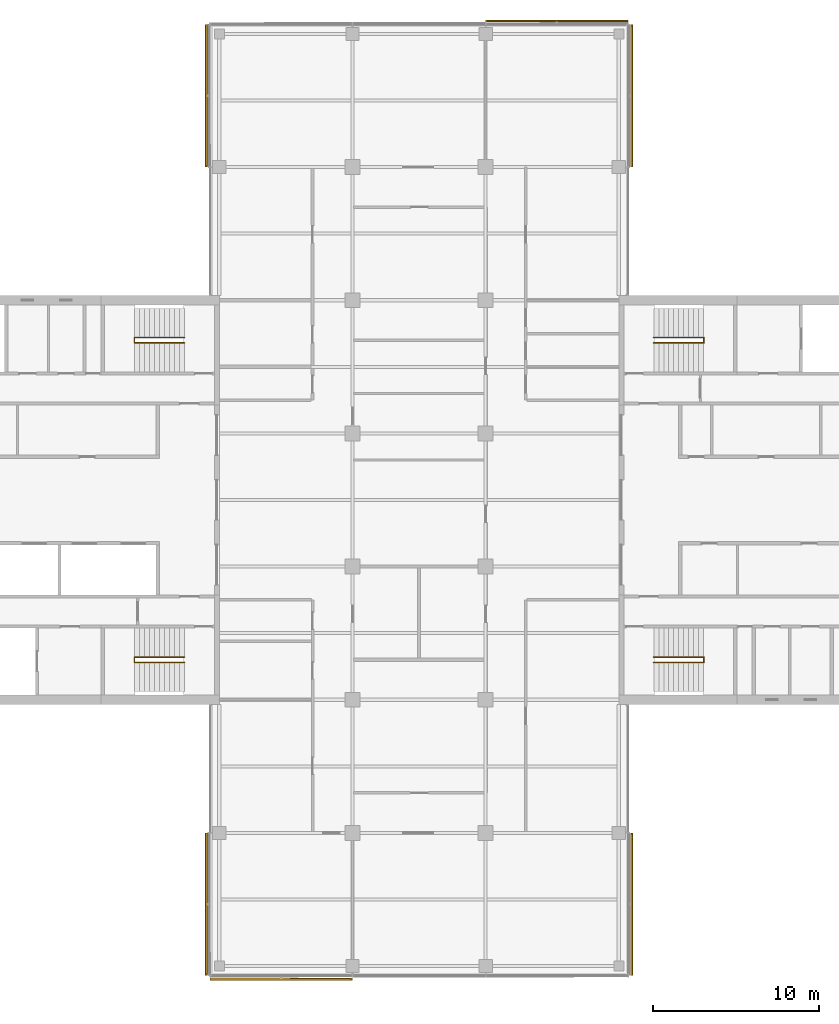
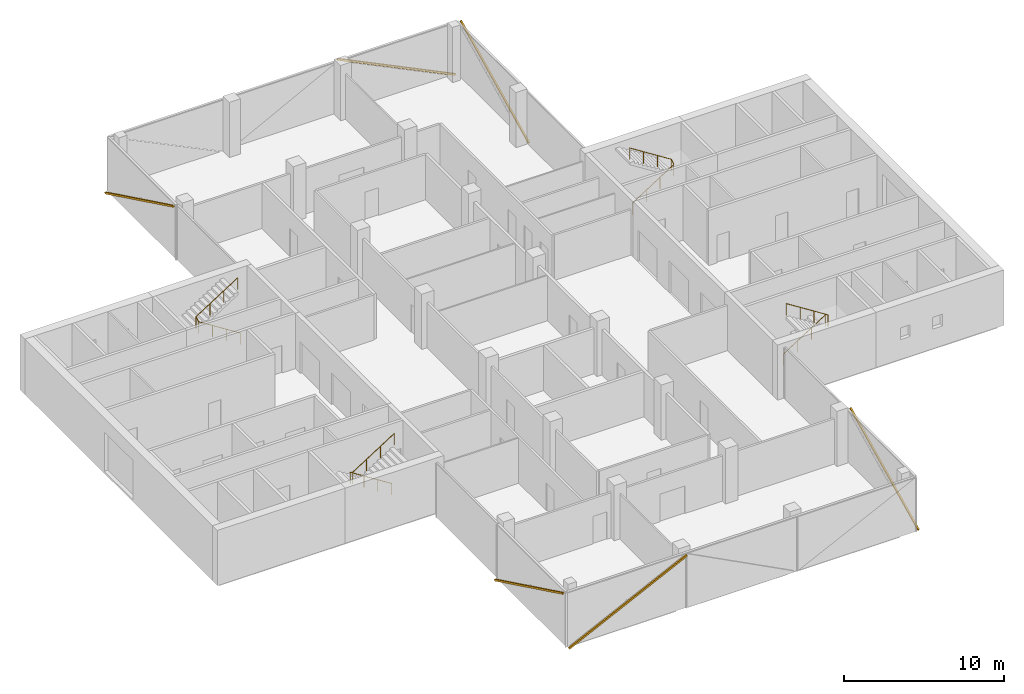
# One storey, part 15 of 15: 6 shading devices, 4 railings, 6 elements without a shape of their own.
"""IFC4 building model written with IfcOpenShell, lengths in metres."""

import ifcopenshell
import ifcopenshell.guid

model = None  # the IFC model being written
_history = None  # IfcOwnerHistory: only IFC2X3 demands one
_inside = {}  # id of a spatial element -> (the spatial element, [elements in it])
_under = {}  # id of a project, library or spatial element -> (it, [spatial elements below it])
_declared = {}  # id of a project -> (the project, [libraries it declares])
_typed = {}  # id of a type object -> (the type object, [elements of that type])
_made_of = {}  # id of a material, layer set ... -> (it, [elements and type objects made of it])


def new_model(schema):
    """Start an empty IFC model of exactly this schema.

    Asked for "IFC4X3", IfcOpenShell would pick the latest addendum, in which some entities
    have other attributes; the version numbers below select the first issue.
    IFC2X3 requires an IfcOwnerHistory on every rooted entity: one is made here for all.
    """
    global model, _history
    if schema == "IFC4X3":
        model = ifcopenshell.file(schema_version=(4, 3, 0, 0))
    else:
        model = ifcopenshell.file(schema=schema)
    _inside.clear()
    _under.clear()
    _declared.clear()
    _typed.clear()
    _made_of.clear()
    _history = None
    if model.schema == "IFC2X3":
        org = make("IfcOrganization", Name="unknown")
        user = make(
            "IfcPersonAndOrganization",
            ThePerson=make("IfcPerson", FamilyName="unknown"),
            TheOrganization=org,
        )
        app = make(
            "IfcApplication",
            ApplicationDeveloper=org,
            Version="unknown",
            ApplicationFullName="unknown",
            ApplicationIdentifier="unknown",
        )
        _history = make(
            "IfcOwnerHistory",
            OwningUser=user,
            OwningApplication=app,
            ChangeAction="ADDED",
            CreationDate=0,
        )
    return model


def make(cls, **values):
    """One entity of the class cls with the attributes given. An attribute that is None is left unset."""
    return model.create_entity(
        cls, **{name: value for name, value in values.items() if value is not None}
    )


def rooted(cls, **values):
    """An entity with a GlobalId (a new one), such as an element, a storey or a relation."""
    return make(cls, GlobalId=ifcopenshell.guid.new(), OwnerHistory=_history, **values)


def si_unit(unit_type, name, prefix=None):
    """IfcSIUnit, for example si_unit("LENGTHUNIT", "METRE", prefix="MILLI")."""
    return make("IfcSIUnit", UnitType=unit_type, Prefix=prefix, Name=name)


def assignment(units):
    """IfcUnitAssignment: the units of a project."""
    return None if units is None else make("IfcUnitAssignment", Units=units)


def point(xyz):
    """IfcCartesianPoint."""
    return None if xyz is None else make("IfcCartesianPoint", Coordinates=xyz)


def direction(xyz):
    """IfcDirection."""
    return None if xyz is None else make("IfcDirection", DirectionRatios=xyz)


def frame(location, z_axis=None, x_axis=None):
    """IfcAxis2Placement3D, a coordinate frame: its origin and axes. An axis left out is left unset."""
    return make(
        "IfcAxis2Placement3D",
        Location=point(location),
        Axis=direction(z_axis),
        RefDirection=direction(x_axis),
    )


def frame_2d(location, x_axis=None):
    """IfcAxis2Placement2D, a coordinate frame in the plane: its origin and x axis."""
    return make(
        "IfcAxis2Placement2D", Location=point(location), RefDirection=direction(x_axis)
    )


def origin():
    """The frame at (0, 0, 0) with its axes left unset."""
    return frame((0.0, 0.0, 0.0))


def origin_2d():
    """The frame at (0, 0) in the plane with its x axis left unset."""
    return frame_2d((0.0, 0.0))


def place(relative_to, where):
    """IfcLocalPlacement: puts the frame where relative to a parent placement (None: the world)."""
    return make(
        "IfcLocalPlacement", PlacementRelTo=relative_to, RelativePlacement=where
    )


def context(
    kind, dimensions, precision=None, world=None, true_north=None, identifier=None
):
    """IfcGeometricRepresentationContext, for example the 3D "Model" context."""
    return make(
        "IfcGeometricRepresentationContext",
        ContextIdentifier=identifier,
        ContextType=kind,
        CoordinateSpaceDimension=dimensions,
        Precision=precision,
        WorldCoordinateSystem=world,
        TrueNorth=true_north,
    )


def subcontext(parent, identifier, kind, view, scale=None):
    """IfcGeometricRepresentationSubContext, for example "Body" below "Model"."""
    return make(
        "IfcGeometricRepresentationSubContext",
        ContextIdentifier=identifier,
        ContextType=kind,
        ParentContext=parent,
        TargetScale=scale,
        TargetView=view,
    )


def project(units=None, contexts=None):
    """IfcProject with its units and contexts."""
    return rooted(
        "IfcProject",
        Name="project",
        RepresentationContexts=contexts,
        UnitsInContext=assignment(units),
    )


def spatial(cls, under=None, at=None, **own):
    """A site, building, storey or space (cls), placed at a placement, below another one or the project."""
    s = rooted(cls, ObjectPlacement=at, **own)
    if under is not None:
        _under.setdefault(under.id(), (under, []))[1].append(s)
    return s


def profile(cls, at=None, kind="AREA", **sizes):
    """A parametric profile (cls). Its sizes go by their IFC names, for example OverallWidth=200.0."""
    return make(cls, ProfileType=kind, Position=at, **sizes)


def rectangle(**sizes):
    """IfcRectangleProfileDef."""
    return profile("IfcRectangleProfileDef", **sizes)


def circle(**sizes):
    """IfcCircleProfileDef."""
    return profile("IfcCircleProfileDef", **sizes)


def extrude(swept, where, along, depth):
    """IfcExtrudedAreaSolid: the profile swept, set in the frame where, extruded along a direction by depth."""
    return make(
        "IfcExtrudedAreaSolid",
        SweptArea=swept,
        Position=where,
        ExtrudedDirection=direction(along),
        Depth=depth,
    )


def shape(context_of_items, identifier, shape_type, items):
    """IfcShapeRepresentation: the items that make up one representation, for example the "Body"."""
    return make(
        "IfcShapeRepresentation",
        ContextOfItems=context_of_items,
        RepresentationIdentifier=identifier,
        RepresentationType=shape_type,
        Items=items,
    )


def material(Name=None, Category=None):
    """IfcMaterial."""
    return make("IfcMaterial", Name=Name, Category=Category)


def material_profile(
    of_material, cross_section, Name=None, Category=None, Priority=None
):
    """IfcMaterialProfile: a cross section and its material."""
    return make(
        "IfcMaterialProfile",
        Name=Name,
        Material=of_material,
        Profile=cross_section,
        Priority=Priority,
        Category=Category,
    )


def profile_set(profiles, Name=None, composite=None):
    """IfcMaterialProfileSet."""
    return make(
        "IfcMaterialProfileSet",
        Name=Name,
        MaterialProfiles=profiles,
        CompositeProfile=composite,
    )


def made_of(thing, what):
    """Note that an element or type object is made of a material, layer set ...; save() writes the relation."""
    if what is not None:
        _made_of.setdefault(what.id(), (what, []))[1].append(thing)
    return thing


def type_object(cls, material=None, **own):
    """A type object (cls), such as IfcWallType, which elements share."""
    return made_of(rooted(cls, **own), material)


def element(
    cls,
    number,
    at=None,
    inside=None,
    cuts=None,
    type_object=None,
    material=None,
    context=None,
    identifier="Body",
    shape_type=None,
    held_by="IfcProductDefinitionShape",
    body=None,
    shapes=None,
    **own,
):
    """One element of the class cls, such as IfcWall. Its Tag is "e" and its number.

    at: its placement. inside: the storey or other place that contains it. cuts: it is an
    opening in that element (IfcRelVoidsElement). A single representation is given by context,
    identifier, shape_type and body (its items); several are given by shapes. held_by: the class
    of the entity that holds the representations. save() writes the other relations.
    """
    e = rooted(cls, Tag="e%d" % number, ObjectPlacement=at, **own)
    if body is not None:
        shapes = [shape(context, identifier, shape_type, body)]
    if shapes is not None:
        e.Representation = make(held_by, Representations=shapes)
    if inside is not None:
        _inside.setdefault(inside.id(), (inside, []))[1].append(e)
    if cuts is not None:
        rooted(
            "IfcRelVoidsElement", RelatingBuildingElement=cuts, RelatedOpeningElement=e
        )
    if type_object is not None:
        _typed.setdefault(type_object.id(), (type_object, []))[1].append(e)
    return made_of(e, material)


def aggregate(whole, parts):
    """IfcRelAggregates: a whole, such as a stair, and the parts it consists of."""
    return rooted("IfcRelAggregates", RelatingObject=whole, RelatedObjects=parts)


def save(model, path):
    """Write the relations noted so far, then the file.

    IfcRelAggregates (storeys below a building ...), IfcRelContainedInSpatialStructure (elements
    in a storey), IfcRelDefinesByType, IfcRelAssociatesMaterial and IfcRelDeclares: one each for
    every whole, place, type object, material and project.
    """
    for whole, parts in _under.values():
        aggregate(whole, parts)
    for where, things in _inside.values():
        rooted(
            "IfcRelContainedInSpatialStructure",
            RelatedElements=things,
            RelatingStructure=where,
        )
    for kind, things in _typed.values():
        rooted("IfcRelDefinesByType", RelatedObjects=things, RelatingType=kind)
    for what, things in _made_of.values():
        rooted("IfcRelAssociatesMaterial", RelatedObjects=things, RelatingMaterial=what)
    for by, libraries in _declared.values():
        rooted("IfcRelDeclares", RelatingContext=by, RelatedDefinitions=libraries)
    model.write(path)


model = new_model("IFC4")

# Units and contexts
model_context = context("Model", 3, precision=1e-05, world=origin(), true_north=direction((0.0, 1.0)))
body_context = subcontext(model_context, "Body", "Model", "MODEL_VIEW")
ifc_project = project(units=[si_unit("LENGTHUNIT", "METRE"), si_unit("AREAUNIT", "SQUARE_METRE"), si_unit("VOLUMEUNIT", "CUBIC_METRE"), si_unit("PLANEANGLEUNIT", "RADIAN"), si_unit("MASSUNIT", "GRAM", prefix="KILO")], contexts=[model_context])

# Site, building, storey
site_placement = place(None, origin())
site = spatial("IfcSite", under=ifc_project, at=site_placement, CompositionType="ELEMENT")
building_placement = place(site_placement, origin())
building = spatial("IfcBuilding", under=site, at=building_placement, Name="Crosswind Convention Tower", CompositionType="ELEMENT")
storey_placement = place(building_placement, frame((0.0, 0.0, 220.89990234375)))
storey = spatial("IfcBuildingStorey", under=building, at=storey_placement, Name="L47", CompositionType="ELEMENT", Elevation=220.89990234375)

# Railings
ifc_material_1 = material(Name="Stainless steel", Category="steel")
railing_type = type_object("IfcRailingType", Name="Stair handrail 900", PredefinedType="HANDRAIL", material=ifc_material_1)
railing_1_placement = place(storey_placement, frame((139.10009765625, 109.43994140625, 0.19091796875)))
element("IfcRailing", 1, at=railing_1_placement, inside=storey, type_object=railing_type, Name="Stair ST1 handrail L47", PredefinedType="HANDRAIL", context=body_context, shape_type="SweptSolid", body=[
    extrude(circle(Radius=0.02392578125, at=origin_2d()), frame((0.0, 0.0, 0.8759765625), z_axis=(0.843650179428, 0.0, 0.536893261973), x_axis=(0.0, 1.0, 0.0)), (0.0, 0.0, 1.0), 3.555908203125),
    extrude(circle(Radius=0.02392578125, at=origin_2d()), frame((3.0, 0.0, 2.78515625), z_axis=(0.0, 0.858819504967, 0.512278301208), x_axis=(-1.0, 0.0, 0.0)), (0.0, 0.0, 1.0), 0.372802734375),
    extrude(circle(Radius=0.02392578125, at=origin_2d()), frame((3.0, 0.320068359375, 2.97607421875), z_axis=(-0.843650179428, 0.0, 0.536893261973), x_axis=(0.0, -1.0, 0.0)), (0.0, 0.0, 1.0), 3.555908203125),
    extrude(circle(Radius=0.02099609375, at=origin_2d()), origin(), (0.0, 0.0, 1.0), 0.851806640625),
    extrude(circle(Radius=0.02099609375, at=origin_2d()), frame((1.0, 0.0, 0.636474609375)), (0.0, 0.0, 1.0), 0.851806640625),
    extrude(circle(Radius=0.02099609375, at=origin_2d()), frame((2.0, 0.0, 1.272705078125)), (0.0, 0.0, 1.0), 0.851806640625),
    extrude(circle(Radius=0.02099609375, at=origin_2d()), frame((3.0, 0.0, 1.9091796875)), (0.0, 0.0, 1.0), 0.851806640625),
    extrude(circle(Radius=0.02099609375, at=origin_2d()), frame((3.0, 0.320068359375, 2.10009765625)), (0.0, 0.0, 1.0), 0.851806640625),
    extrude(circle(Radius=0.02099609375, at=origin_2d()), frame((2.0, 0.320068359375, 2.736572265625)), (0.0, 0.0, 1.0), 0.851806640625),
    extrude(circle(Radius=0.02099609375, at=origin_2d()), frame((1.0, 0.320068359375, 3.372802734375)), (0.0, 0.0, 1.0), 0.851806640625),
    extrude(circle(Radius=0.02099609375, at=origin_2d()), frame((0.0, 0.320068359375, 4.00927734375)), (0.0, 0.0, 1.0), 0.851806640625),
])
railing_2_placement = place(storey_placement, frame((139.10009765625, 90.56005859375, 0.19091796875)))
element("IfcRailing", 2, at=railing_2_placement, inside=storey, type_object=railing_type, Name="Stair ST2 handrail L47", PredefinedType="HANDRAIL", context=body_context, shape_type="SweptSolid", body=[
    extrude(circle(Radius=0.02392578125, at=origin_2d()), frame((0.0, 0.0, 0.8759765625), z_axis=(0.843650179428, 0.0, 0.536893261973), x_axis=(0.0, 1.0, 0.0)), (0.0, 0.0, 1.0), 3.555908203125),
    extrude(circle(Radius=0.02392578125, at=origin_2d()), frame((3.0, 0.0, 2.78515625), z_axis=(0.0, -0.858819504967, 0.512278301208), x_axis=(1.0, 0.0, 0.0)), (0.0, 0.0, 1.0), 0.372802734375),
    extrude(circle(Radius=0.02392578125, at=origin_2d()), frame((3.0, -0.320068359375, 2.97607421875), z_axis=(-0.843650179428, 0.0, 0.536893261973), x_axis=(0.0, -1.0, 0.0)), (0.0, 0.0, 1.0), 3.555908203125),
    extrude(circle(Radius=0.02099609375, at=origin_2d()), origin(), (0.0, 0.0, 1.0), 0.851806640625),
    extrude(circle(Radius=0.02099609375, at=origin_2d()), frame((1.0, 0.0, 0.636474609375)), (0.0, 0.0, 1.0), 0.851806640625),
    extrude(circle(Radius=0.02099609375, at=origin_2d()), frame((2.0, 0.0, 1.272705078125)), (0.0, 0.0, 1.0), 0.851806640625),
    extrude(circle(Radius=0.02099609375, at=origin_2d()), frame((3.0, 0.0, 1.9091796875)), (0.0, 0.0, 1.0), 0.851806640625),
    extrude(circle(Radius=0.02099609375, at=origin_2d()), frame((3.0, -0.320068359375, 2.10009765625)), (0.0, 0.0, 1.0), 0.851806640625),
    extrude(circle(Radius=0.02099609375, at=origin_2d()), frame((2.0, -0.320068359375, 2.736572265625)), (0.0, 0.0, 1.0), 0.851806640625),
    extrude(circle(Radius=0.02099609375, at=origin_2d()), frame((1.0, -0.320068359375, 3.372802734375)), (0.0, 0.0, 1.0), 0.851806640625),
    extrude(circle(Radius=0.02099609375, at=origin_2d()), frame((0.0, -0.320068359375, 4.00927734375)), (0.0, 0.0, 1.0), 0.851806640625),
])
railing_3_placement = place(storey_placement, frame((110.89990234375, 90.56005859375, 0.19091796875)))
element("IfcRailing", 3, at=railing_3_placement, inside=storey, type_object=railing_type, Name="Stair ST3 handrail L47", PredefinedType="HANDRAIL", context=body_context, shape_type="SweptSolid", body=[
    extrude(circle(Radius=0.02392578125, at=origin_2d()), frame((0.0, 0.0, 0.8759765625), z_axis=(-0.843650179428, 0.0, 0.536893261973), x_axis=(0.0, -1.0, 0.0)), (0.0, 0.0, 1.0), 3.555908203125),
    extrude(circle(Radius=0.02392578125, at=origin_2d()), frame((-3.0, 0.0, 2.78515625), z_axis=(0.0, -0.858819504967, 0.512278301208), x_axis=(1.0, 0.0, 0.0)), (0.0, 0.0, 1.0), 0.372802734375),
    extrude(circle(Radius=0.02392578125, at=origin_2d()), frame((-3.0, -0.320068359375, 2.97607421875), z_axis=(0.843650179428, 0.0, 0.536893261973), x_axis=(0.0, 1.0, 0.0)), (0.0, 0.0, 1.0), 3.555908203125),
    extrude(circle(Radius=0.02099609375, at=origin_2d()), origin(), (0.0, 0.0, 1.0), 0.851806640625),
    extrude(circle(Radius=0.02099609375, at=origin_2d()), frame((-1.0, 0.0, 0.636474609375)), (0.0, 0.0, 1.0), 0.851806640625),
    extrude(circle(Radius=0.02099609375, at=origin_2d()), frame((-2.0, 0.0, 1.272705078125)), (0.0, 0.0, 1.0), 0.851806640625),
    extrude(circle(Radius=0.02099609375, at=origin_2d()), frame((-3.0, 0.0, 1.9091796875)), (0.0, 0.0, 1.0), 0.851806640625),
    extrude(circle(Radius=0.02099609375, at=origin_2d()), frame((-3.0, -0.320068359375, 2.10009765625)), (0.0, 0.0, 1.0), 0.851806640625),
    extrude(circle(Radius=0.02099609375, at=origin_2d()), frame((-2.0, -0.320068359375, 2.736572265625)), (0.0, 0.0, 1.0), 0.851806640625),
    extrude(circle(Radius=0.02099609375, at=origin_2d()), frame((-1.0, -0.320068359375, 3.372802734375)), (0.0, 0.0, 1.0), 0.851806640625),
    extrude(circle(Radius=0.02099609375, at=origin_2d()), frame((0.0, -0.320068359375, 4.00927734375)), (0.0, 0.0, 1.0), 0.851806640625),
])
railing_4_placement = place(storey_placement, frame((110.89990234375, 109.43994140625, 0.19091796875)))
element("IfcRailing", 4, at=railing_4_placement, inside=storey, type_object=railing_type, Name="Stair ST4 handrail L47", PredefinedType="HANDRAIL", context=body_context, shape_type="SweptSolid", body=[
    extrude(circle(Radius=0.02392578125, at=origin_2d()), frame((0.0, 0.0, 0.8759765625), z_axis=(-0.843650179428, 0.0, 0.536893261973), x_axis=(0.0, -1.0, 0.0)), (0.0, 0.0, 1.0), 3.555908203125),
    extrude(circle(Radius=0.02392578125, at=origin_2d()), frame((-3.0, 0.0, 2.78515625), z_axis=(0.0, 0.858819504967, 0.512278301208), x_axis=(-1.0, 0.0, 0.0)), (0.0, 0.0, 1.0), 0.372802734375),
    extrude(circle(Radius=0.02392578125, at=origin_2d()), frame((-3.0, 0.320068359375, 2.97607421875), z_axis=(0.843650179428, 0.0, 0.536893261973), x_axis=(0.0, 1.0, 0.0)), (0.0, 0.0, 1.0), 3.555908203125),
    extrude(circle(Radius=0.02099609375, at=origin_2d()), origin(), (0.0, 0.0, 1.0), 0.851806640625),
    extrude(circle(Radius=0.02099609375, at=origin_2d()), frame((-1.0, 0.0, 0.636474609375)), (0.0, 0.0, 1.0), 0.851806640625),
    extrude(circle(Radius=0.02099609375, at=origin_2d()), frame((-2.0, 0.0, 1.272705078125)), (0.0, 0.0, 1.0), 0.851806640625),
    extrude(circle(Radius=0.02099609375, at=origin_2d()), frame((-3.0, 0.0, 1.9091796875)), (0.0, 0.0, 1.0), 0.851806640625),
    extrude(circle(Radius=0.02099609375, at=origin_2d()), frame((-3.0, 0.320068359375, 2.10009765625)), (0.0, 0.0, 1.0), 0.851806640625),
    extrude(circle(Radius=0.02099609375, at=origin_2d()), frame((-2.0, 0.320068359375, 2.736572265625)), (0.0, 0.0, 1.0), 0.851806640625),
    extrude(circle(Radius=0.02099609375, at=origin_2d()), frame((-1.0, 0.320068359375, 3.372802734375)), (0.0, 0.0, 1.0), 0.851806640625),
    extrude(circle(Radius=0.02099609375, at=origin_2d()), frame((0.0, 0.320068359375, 4.00927734375)), (0.0, 0.0, 1.0), 0.851806640625),
])

# Curtain wall, shading device
ifc_material_2 = material(Name="Aluminium unitised curtain wall", Category="aluminium")
curtain_wall_type = type_object("IfcCurtainWallType", Name="OFFICE UNITISED WALL 220", PredefinedType="USERDEFINED", material=ifc_material_2)
curtain_wall_1_placement = place(storey_placement, origin())
curtain_wall_1 = element("IfcCurtainWall", 5, at=curtain_wall_1_placement, inside=storey, type_object=curtain_wall_type, Name="CW3 L47 N-E 1", ObjectType="UNITISED", PredefinedType="USERDEFINED")
ifc_material_3 = material(Name="Extruded terracotta", Category="masonry")
ifc_material_profile = material_profile(ifc_material_3, rectangle(XDim=0.110107421875, YDim=0.1298828125, at=origin_2d()), Name="TC 110X130")
ifc_profile_set = profile_set([ifc_material_profile], Name="Extruded terracotta")
shading_device_type = type_object("IfcShadingDeviceType", Name="TERRACOTTA BAGUETTE 130X110", PredefinedType="USERDEFINED", material=ifc_profile_set)
shading_device_1_placement = place(storey_placement, frame((137.781005859375, 120.034912109375, -0.2998046875), z_axis=(0.0, 0.899251034354, 0.437432940248), x_axis=(-1.0, 0.0, 0.0)))
shading_device_1 = element("IfcShadingDevice", 6, at=shading_device_1_placement, type_object=shading_device_type, Name="CW3 terracotta baguette 1", ObjectType="BAGUETTE", PredefinedType="USERDEFINED", context=body_context, shape_type="SweptSolid", body=[
    extrude(rectangle(XDim=0.110107421875, YDim=0.1298828125, at=origin_2d()), origin(), (0.0, 0.0, 1.0), 9.441162109375),
])
aggregate(curtain_wall_1, [shading_device_1])

curtain_wall_2_placement = place(storey_placement, origin())
curtain_wall_2 = element("IfcCurtainWall", 7, at=curtain_wall_2_placement, inside=storey, type_object=curtain_wall_type, Name="CW3 L47 N-TIP 1", ObjectType="UNITISED", PredefinedType="USERDEFINED")
shading_device_2_placement = place(storey_placement, frame((137.52490234375, 128.781005859375, -0.2998046875), z_axis=(-0.899251034354, 0.0, 0.437432940248), x_axis=(0.0, -1.0, 0.0)))
shading_device_2 = element("IfcShadingDevice", 8, at=shading_device_2_placement, type_object=shading_device_type, Name="CW3 terracotta baguette 1", ObjectType="BAGUETTE", PredefinedType="USERDEFINED", context=body_context, shape_type="SweptSolid", body=[
    extrude(rectangle(XDim=0.110107421875, YDim=0.1298828125, at=origin_2d()), origin(), (0.0, 0.0, 1.0), 9.441162109375),
])
aggregate(curtain_wall_2, [shading_device_2])

curtain_wall_3_placement = place(storey_placement, origin())
curtain_wall_3 = element("IfcCurtainWall", 9, at=curtain_wall_3_placement, inside=storey, type_object=curtain_wall_type, Name="CW3 L47 N-W 1", ObjectType="UNITISED", PredefinedType="USERDEFINED")
shading_device_3_placement = place(storey_placement, frame((112.218994140625, 128.52490234375, -0.2998046875), z_axis=(0.0, -0.899251034354, 0.437432940248), x_axis=(1.0, 0.0, 0.0)))
shading_device_3 = element("IfcShadingDevice", 10, at=shading_device_3_placement, type_object=shading_device_type, Name="CW3 terracotta baguette 1", ObjectType="BAGUETTE", PredefinedType="USERDEFINED", context=body_context, shape_type="SweptSolid", body=[
    extrude(rectangle(XDim=0.110107421875, YDim=0.1298828125, at=origin_2d()), origin(), (0.0, 0.0, 1.0), 9.441162109375),
])
aggregate(curtain_wall_3, [shading_device_3])

curtain_wall_4_placement = place(storey_placement, origin())
curtain_wall_4 = element("IfcCurtainWall", 11, at=curtain_wall_4_placement, inside=storey, type_object=curtain_wall_type, Name="CW3 L47 S-W 1", ObjectType="UNITISED", PredefinedType="USERDEFINED")
shading_device_4_placement = place(storey_placement, frame((112.218994140625, 79.965087890625, -0.2998046875), z_axis=(0.0, -0.899251034354, 0.437432940248), x_axis=(1.0, 0.0, 0.0)))
shading_device_4 = element("IfcShadingDevice", 12, at=shading_device_4_placement, type_object=shading_device_type, Name="CW3 terracotta baguette 1", ObjectType="BAGUETTE", PredefinedType="USERDEFINED", context=body_context, shape_type="SweptSolid", body=[
    extrude(rectangle(XDim=0.110107421875, YDim=0.1298828125, at=origin_2d()), origin(), (0.0, 0.0, 1.0), 9.441162109375),
])
aggregate(curtain_wall_4, [shading_device_4])

curtain_wall_5_placement = place(storey_placement, origin())
curtain_wall_5 = element("IfcCurtainWall", 13, at=curtain_wall_5_placement, inside=storey, type_object=curtain_wall_type, Name="CW3 L47 S-TIP 1", ObjectType="UNITISED", PredefinedType="USERDEFINED")
shading_device_5_placement = place(storey_placement, frame((112.47509765625, 71.218994140625, -0.2998046875), z_axis=(0.899251034354, 0.0, 0.437432940248), x_axis=(0.0, 1.0, 0.0)))
shading_device_5 = element("IfcShadingDevice", 14, at=shading_device_5_placement, type_object=shading_device_type, Name="CW3 terracotta baguette 1", ObjectType="BAGUETTE", PredefinedType="USERDEFINED", context=body_context, shape_type="SweptSolid", body=[
    extrude(rectangle(XDim=0.110107421875, YDim=0.1298828125, at=origin_2d()), origin(), (0.0, 0.0, 1.0), 9.441162109375),
])
aggregate(curtain_wall_5, [shading_device_5])

curtain_wall_6_placement = place(storey_placement, origin())
curtain_wall_6 = element("IfcCurtainWall", 15, at=curtain_wall_6_placement, inside=storey, type_object=curtain_wall_type, Name="CW3 L47 S-E 1", ObjectType="UNITISED", PredefinedType="USERDEFINED")
shading_device_6_placement = place(storey_placement, frame((137.781005859375, 71.47509765625, -0.2998046875), z_axis=(0.0, 0.899251034354, 0.437432940248), x_axis=(-1.0, 0.0, 0.0)))
shading_device_6 = element("IfcShadingDevice", 16, at=shading_device_6_placement, type_object=shading_device_type, Name="CW3 terracotta baguette 1", ObjectType="BAGUETTE", PredefinedType="USERDEFINED", context=body_context, shape_type="SweptSolid", body=[
    extrude(rectangle(XDim=0.110107421875, YDim=0.1298828125, at=origin_2d()), origin(), (0.0, 0.0, 1.0), 9.441162109375),
])
aggregate(curtain_wall_6, [shading_device_6])

save(model, "model.ifc")
